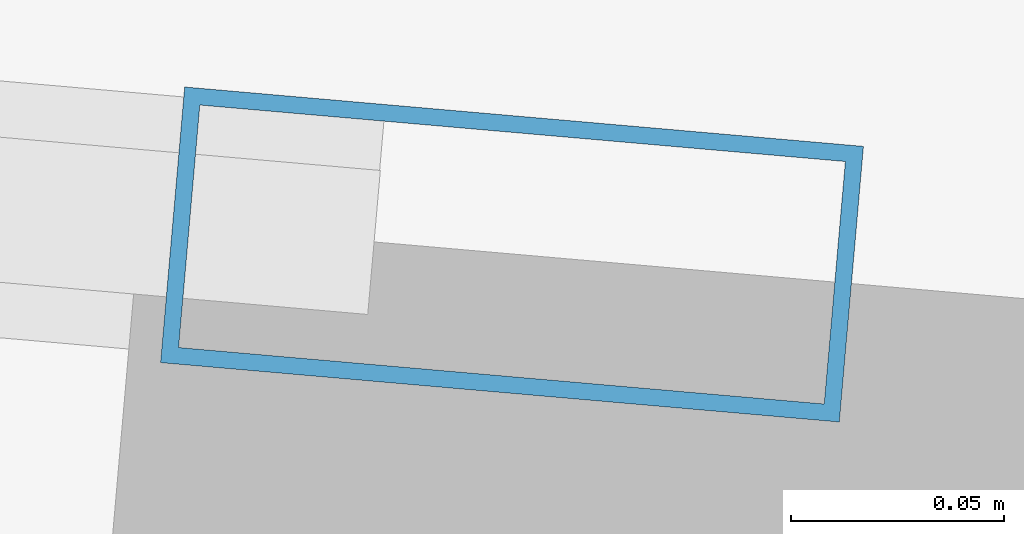
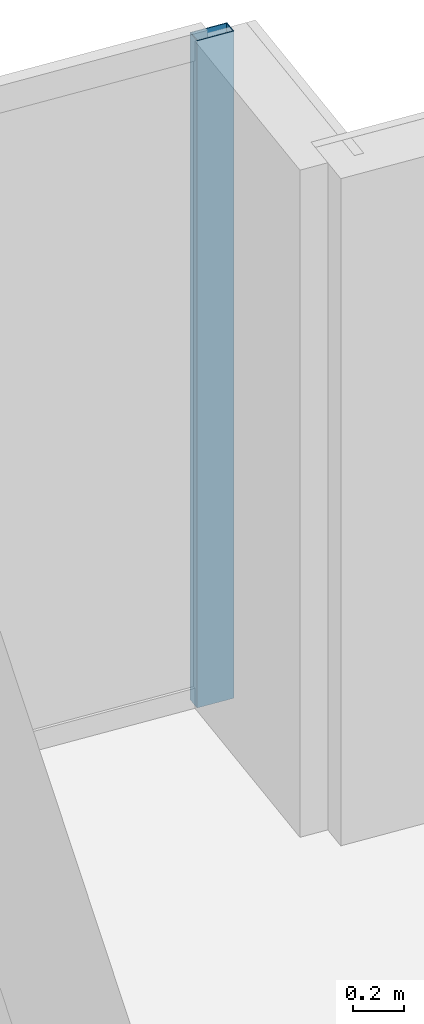
# One storey, part 22 of 32: 1 member, 1 element without a shape of its own.
"""IFC4 building model written with IfcOpenShell, lengths in metres."""

import ifcopenshell
import ifcopenshell.guid

model = None  # the IFC model being written
_history = None  # IfcOwnerHistory: only IFC2X3 demands one
_inside = {}  # id of a spatial element -> (the spatial element, [elements in it])
_under = {}  # id of a project, library or spatial element -> (it, [spatial elements below it])
_declared = {}  # id of a project -> (the project, [libraries it declares])
_typed = {}  # id of a type object -> (the type object, [elements of that type])
_made_of = {}  # id of a material, layer set ... -> (it, [elements and type objects made of it])


def new_model(schema):
    """Start an empty IFC model of exactly this schema.

    Asked for "IFC4X3", IfcOpenShell would pick the latest addendum, in which some entities
    have other attributes; the version numbers below select the first issue.
    IFC2X3 requires an IfcOwnerHistory on every rooted entity: one is made here for all.
    """
    global model, _history
    if schema == "IFC4X3":
        model = ifcopenshell.file(schema_version=(4, 3, 0, 0))
    else:
        model = ifcopenshell.file(schema=schema)
    _inside.clear()
    _under.clear()
    _declared.clear()
    _typed.clear()
    _made_of.clear()
    _history = None
    if model.schema == "IFC2X3":
        org = make("IfcOrganization", Name="unknown")
        user = make(
            "IfcPersonAndOrganization",
            ThePerson=make("IfcPerson", FamilyName="unknown"),
            TheOrganization=org,
        )
        app = make(
            "IfcApplication",
            ApplicationDeveloper=org,
            Version="unknown",
            ApplicationFullName="unknown",
            ApplicationIdentifier="unknown",
        )
        _history = make(
            "IfcOwnerHistory",
            OwningUser=user,
            OwningApplication=app,
            ChangeAction="ADDED",
            CreationDate=0,
        )
    return model


def make(cls, **values):
    """One entity of the class cls with the attributes given. An attribute that is None is left unset."""
    return model.create_entity(
        cls, **{name: value for name, value in values.items() if value is not None}
    )


def rooted(cls, **values):
    """An entity with a GlobalId (a new one), such as an element, a storey or a relation."""
    return make(cls, GlobalId=ifcopenshell.guid.new(), OwnerHistory=_history, **values)


def si_unit(unit_type, name, prefix=None):
    """IfcSIUnit, for example si_unit("LENGTHUNIT", "METRE", prefix="MILLI")."""
    return make("IfcSIUnit", UnitType=unit_type, Prefix=prefix, Name=name)


def assignment(units):
    """IfcUnitAssignment: the units of a project."""
    return None if units is None else make("IfcUnitAssignment", Units=units)


def point(xyz):
    """IfcCartesianPoint."""
    return None if xyz is None else make("IfcCartesianPoint", Coordinates=xyz)


def direction(xyz):
    """IfcDirection."""
    return None if xyz is None else make("IfcDirection", DirectionRatios=xyz)


def frame(location, z_axis=None, x_axis=None):
    """IfcAxis2Placement3D, a coordinate frame: its origin and axes. An axis left out is left unset."""
    return make(
        "IfcAxis2Placement3D",
        Location=point(location),
        Axis=direction(z_axis),
        RefDirection=direction(x_axis),
    )


def frame_2d(location, x_axis=None):
    """IfcAxis2Placement2D, a coordinate frame in the plane: its origin and x axis."""
    return make(
        "IfcAxis2Placement2D", Location=point(location), RefDirection=direction(x_axis)
    )


def origin():
    """The frame at (0, 0, 0) with its axes left unset."""
    return frame((0.0, 0.0, 0.0))


def origin_2d():
    """The frame at (0, 0) in the plane with its x axis left unset."""
    return frame_2d((0.0, 0.0))


def place(relative_to, where):
    """IfcLocalPlacement: puts the frame where relative to a parent placement (None: the world)."""
    return make(
        "IfcLocalPlacement", PlacementRelTo=relative_to, RelativePlacement=where
    )


def context(
    kind, dimensions, precision=None, world=None, true_north=None, identifier=None
):
    """IfcGeometricRepresentationContext, for example the 3D "Model" context."""
    return make(
        "IfcGeometricRepresentationContext",
        ContextIdentifier=identifier,
        ContextType=kind,
        CoordinateSpaceDimension=dimensions,
        Precision=precision,
        WorldCoordinateSystem=world,
        TrueNorth=true_north,
    )


def subcontext(parent, identifier, kind, view, scale=None):
    """IfcGeometricRepresentationSubContext, for example "Body" below "Model"."""
    return make(
        "IfcGeometricRepresentationSubContext",
        ContextIdentifier=identifier,
        ContextType=kind,
        ParentContext=parent,
        TargetScale=scale,
        TargetView=view,
    )


def project(units=None, contexts=None):
    """IfcProject with its units and contexts."""
    return rooted(
        "IfcProject",
        Name="project",
        RepresentationContexts=contexts,
        UnitsInContext=assignment(units),
    )


def spatial(cls, under=None, at=None, **own):
    """A site, building, storey or space (cls), placed at a placement, below another one or the project."""
    s = rooted(cls, ObjectPlacement=at, **own)
    if under is not None:
        _under.setdefault(under.id(), (under, []))[1].append(s)
    return s


def profile(cls, at=None, kind="AREA", **sizes):
    """A parametric profile (cls). Its sizes go by their IFC names, for example OverallWidth=200.0."""
    return make(cls, ProfileType=kind, Position=at, **sizes)


def hollow_rectangle(**sizes):
    """IfcRectangleHollowProfileDef."""
    return profile("IfcRectangleHollowProfileDef", **sizes)


def extrude(swept, where, along, depth):
    """IfcExtrudedAreaSolid: the profile swept, set in the frame where, extruded along a direction by depth."""
    return make(
        "IfcExtrudedAreaSolid",
        SweptArea=swept,
        Position=where,
        ExtrudedDirection=direction(along),
        Depth=depth,
    )


def shape(context_of_items, identifier, shape_type, items):
    """IfcShapeRepresentation: the items that make up one representation, for example the "Body"."""
    return make(
        "IfcShapeRepresentation",
        ContextOfItems=context_of_items,
        RepresentationIdentifier=identifier,
        RepresentationType=shape_type,
        Items=items,
    )


def material(Name=None, Category=None):
    """IfcMaterial."""
    return make("IfcMaterial", Name=Name, Category=Category)


def material_profile(
    of_material, cross_section, Name=None, Category=None, Priority=None
):
    """IfcMaterialProfile: a cross section and its material."""
    return make(
        "IfcMaterialProfile",
        Name=Name,
        Material=of_material,
        Profile=cross_section,
        Priority=Priority,
        Category=Category,
    )


def profile_set(profiles, Name=None, composite=None):
    """IfcMaterialProfileSet."""
    return make(
        "IfcMaterialProfileSet",
        Name=Name,
        MaterialProfiles=profiles,
        CompositeProfile=composite,
    )


def made_of(thing, what):
    """Note that an element or type object is made of a material, layer set ...; save() writes the relation."""
    if what is not None:
        _made_of.setdefault(what.id(), (what, []))[1].append(thing)
    return thing


def type_object(cls, material=None, **own):
    """A type object (cls), such as IfcWallType, which elements share."""
    return made_of(rooted(cls, **own), material)


def element(
    cls,
    number,
    at=None,
    inside=None,
    cuts=None,
    type_object=None,
    material=None,
    context=None,
    identifier="Body",
    shape_type=None,
    held_by="IfcProductDefinitionShape",
    body=None,
    shapes=None,
    **own,
):
    """One element of the class cls, such as IfcWall. Its Tag is "e" and its number.

    at: its placement. inside: the storey or other place that contains it. cuts: it is an
    opening in that element (IfcRelVoidsElement). A single representation is given by context,
    identifier, shape_type and body (its items); several are given by shapes. held_by: the class
    of the entity that holds the representations. save() writes the other relations.
    """
    e = rooted(cls, Tag="e%d" % number, ObjectPlacement=at, **own)
    if body is not None:
        shapes = [shape(context, identifier, shape_type, body)]
    if shapes is not None:
        e.Representation = make(held_by, Representations=shapes)
    if inside is not None:
        _inside.setdefault(inside.id(), (inside, []))[1].append(e)
    if cuts is not None:
        rooted(
            "IfcRelVoidsElement", RelatingBuildingElement=cuts, RelatedOpeningElement=e
        )
    if type_object is not None:
        _typed.setdefault(type_object.id(), (type_object, []))[1].append(e)
    return made_of(e, material)


def aggregate(whole, parts):
    """IfcRelAggregates: a whole, such as a stair, and the parts it consists of."""
    return rooted("IfcRelAggregates", RelatingObject=whole, RelatedObjects=parts)


def save(model, path):
    """Write the relations noted so far, then the file.

    IfcRelAggregates (storeys below a building ...), IfcRelContainedInSpatialStructure (elements
    in a storey), IfcRelDefinesByType, IfcRelAssociatesMaterial and IfcRelDeclares: one each for
    every whole, place, type object, material and project.
    """
    for whole, parts in _under.values():
        aggregate(whole, parts)
    for where, things in _inside.values():
        rooted(
            "IfcRelContainedInSpatialStructure",
            RelatedElements=things,
            RelatingStructure=where,
        )
    for kind, things in _typed.values():
        rooted("IfcRelDefinesByType", RelatedObjects=things, RelatingType=kind)
    for what, things in _made_of.values():
        rooted("IfcRelAssociatesMaterial", RelatedObjects=things, RelatingMaterial=what)
    for by, libraries in _declared.values():
        rooted("IfcRelDeclares", RelatingContext=by, RelatedDefinitions=libraries)
    model.write(path)


model = new_model("IFC4")

# Units and contexts
model_context = context("Model", 3, precision=1e-05, world=origin(), true_north=direction((0.0, 1.0)))
body_context = subcontext(model_context, "Body", "Model", "MODEL_VIEW")
ifc_project = project(units=[si_unit("LENGTHUNIT", "METRE"), si_unit("AREAUNIT", "SQUARE_METRE"), si_unit("VOLUMEUNIT", "CUBIC_METRE"), si_unit("PLANEANGLEUNIT", "RADIAN"), si_unit("MASSUNIT", "GRAM", prefix="KILO")], contexts=[model_context])

# Site, building, storey
site_placement = place(None, origin())
site = spatial("IfcSite", under=ifc_project, at=site_placement, CompositionType="ELEMENT")
building_placement = place(site_placement, origin())
building = spatial("IfcBuilding", under=site, at=building_placement, Name="Yelkora Congress Tower", CompositionType="ELEMENT")
storey_placement = place(building_placement, frame((0.0, 0.0, 265.89990234375)))
storey = spatial("IfcBuildingStorey", under=building, at=storey_placement, Name="L74", CompositionType="ELEMENT", Elevation=265.89990234375)

# Curtain wall, member
ifc_material_1 = material(Name="Anodised aluminium and insulated glass", Category="aluminium")
curtain_wall_type = type_object("IfcCurtainWallType", Name="CW-SYS-B5", PredefinedType="NOTDEFINED", material=ifc_material_1)
curtain_wall_placement = place(storey_placement, origin())
curtain_wall = element("IfcCurtainWall", 1, at=curtain_wall_placement, inside=storey, type_object=curtain_wall_type, Name="L74 Unitised Curtain Wall 10", PredefinedType="NOTDEFINED")
ifc_material_2 = material(Name="Anodised aluminium 6063-T6", Category="aluminium")
ifc_material_profile = material_profile(ifc_material_2, hollow_rectangle(XDim=0.06494140625, YDim=0.159912109375, WallThickness=0.00390625, at=origin_2d()), Name="ALU 65x160x4")
ifc_profile_set = profile_set([ifc_material_profile], Name="Anodised aluminium 6063-T6")
member_type = type_object("IfcMemberType", Name="MEM-ML-B5", PredefinedType="MULLION", material=ifc_profile_set)
member_placement = place(storey_placement, frame((55.753662109375, 46.44580078125, 0.0), z_axis=(0.0, 0.0, 1.0), x_axis=(0.087156639893, 0.996194619601, 0.0)))
member = element("IfcMember", 2, at=member_placement, type_object=member_type, Name="CW-B5 mullion 8", PredefinedType="MULLION", context=body_context, shape_type="SweptSolid", body=[
    extrude(hollow_rectangle(XDim=0.06494140625, YDim=0.159912109375, WallThickness=0.00390625, at=origin_2d()), origin(), (0.0, 0.0, 1.0), 3.18017578125),
])
aggregate(curtain_wall, [member])

save(model, "model.ifc")
